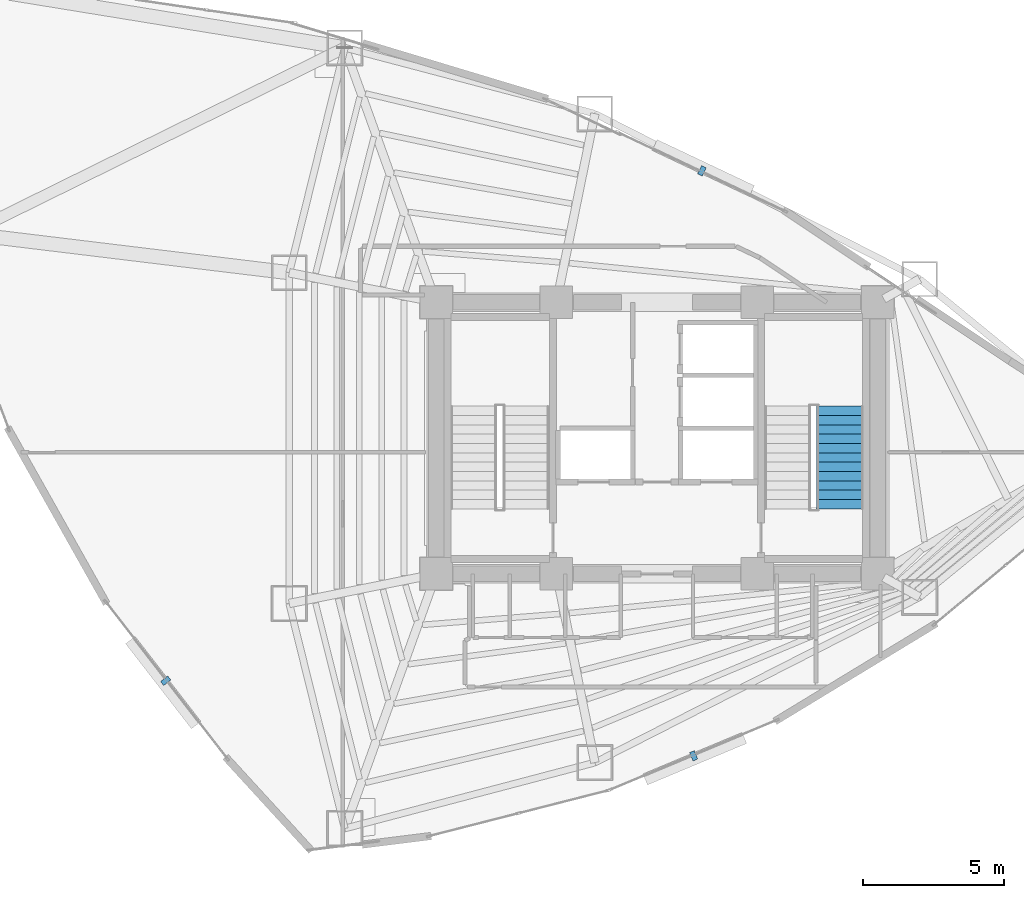
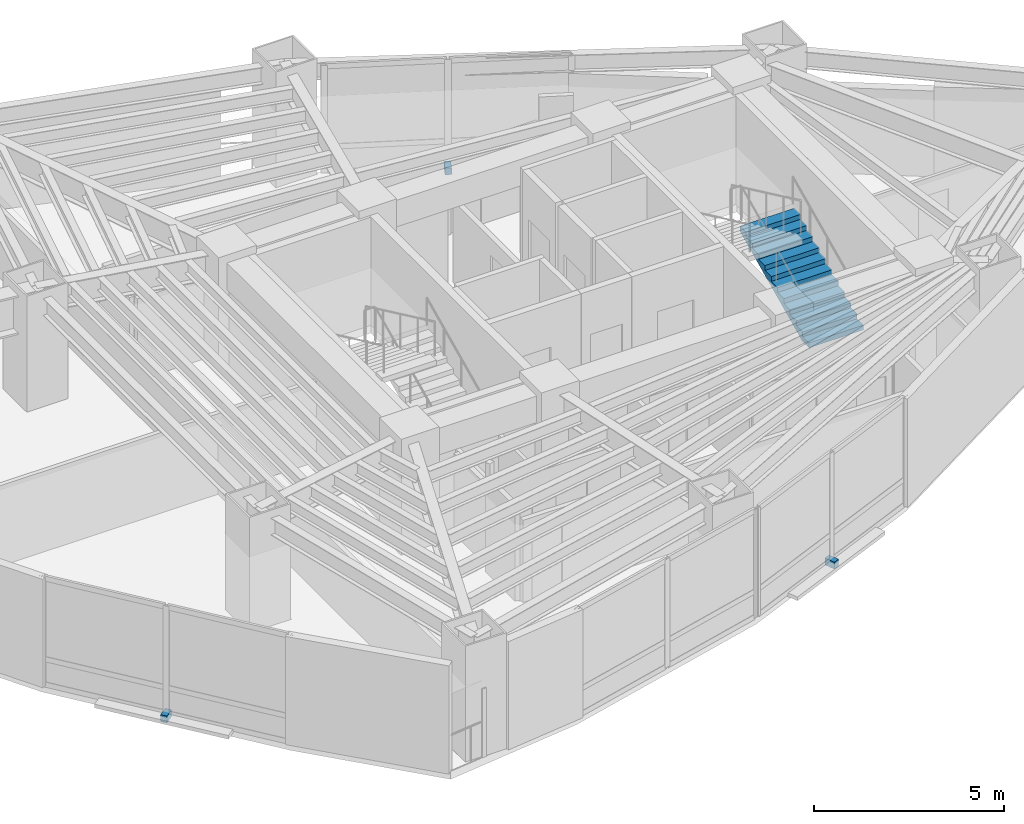
# One storey, part 21 of 23: 3 discrete accessories, 1 stair flight, 1 element without a shape of its own.
"""IFC4 building model written with IfcOpenShell, lengths in metres."""

from ifc_helpers import new_model, si_unit, direction, frame, origin, origin_2d, place, context, subcontext, project, spatial, polyline, rectangle, outline, extrude, material, type_object, element, aggregate, save


model = new_model("IFC4")

# Units and contexts
model_context = context("Model", 3, precision=1e-05, world=origin(), true_north=direction((0.0, 1.0)))
body_context = subcontext(model_context, "Body", "Model", "MODEL_VIEW")
ifc_project = project(units=[si_unit("LENGTHUNIT", "METRE"), si_unit("AREAUNIT", "SQUARE_METRE"), si_unit("VOLUMEUNIT", "CUBIC_METRE"), si_unit("PLANEANGLEUNIT", "RADIAN"), si_unit("MASSUNIT", "GRAM", prefix="KILO")], contexts=[model_context])

# Site, building, storey
site_placement = place(None, origin())
site = spatial("IfcSite", under=ifc_project, at=site_placement, CompositionType="ELEMENT")
building_placement = place(site_placement, origin())
building = spatial("IfcBuilding", under=site, at=building_placement, Name="Menara Vayukalpa", CompositionType="ELEMENT")
storey_placement = place(building_placement, frame((0.0, 0.0, 107.699951171875)))
storey = spatial("IfcBuildingStorey", under=building, at=storey_placement, Name="L26", CompositionType="ELEMENT", Elevation=107.699951171875)

# Stair, stair flight
ifc_material_1 = material(Name="Precast Concrete C40/50", Category="concrete")
stair_type = type_object("IfcStairType", Name="STR-T04", PredefinedType="DOUBLE_RETURN_STAIR", material=ifc_material_1)
stair_placement = place(storey_placement, origin())
stair = element("IfcStair", 1, at=stair_placement, inside=storey, type_object=stair_type, Name="L26 Core Exit Stair ST-2", PredefinedType="DOUBLE_RETURN_STAIR")
ifc_material_2 = material(Name="Precast Concrete C40/50", Category="concrete")
stair_flight_type = type_object("IfcStairFlightType", Name="STF-T04", PredefinedType="STRAIGHT", material=ifc_material_2)
stair_flight_placement = place(storey_placement, frame((32.074951171875, 19.5, 0.0), z_axis=(0.0, 0.0, 1.0), x_axis=(0.0, 1.0, 0.0)))
stair_flight = element("IfcStairFlight", 2, at=stair_flight_placement, type_object=stair_flight_type, Name="ST-2 flight 1", NumberOfRisers=12, NumberOfTreads=11, PredefinedType="STRAIGHT", RiserHeight=0.155, TreadLength=0.33, context=body_context, shape_type="SweptSolid", body=[
    extrude(outline(polyline([(0.0, 0.0), (0.0, 0.155029296875), (0.330078125, 0.155029296875), (0.330078125, 0.31005859375), (0.659912109375, 0.31005859375), (0.659912109375, 0.465087890625), (0.989990234375, 0.465087890625), (0.989990234375, 0.6201171875), (1.320068359375, 0.6201171875), (1.320068359375, 0.77490234375), (1.64990234375, 0.77490234375), (1.64990234375, 0.929931640625), (1.97998046875, 0.929931640625), (1.97998046875, 1.0849609375), (2.31005859375, 1.0849609375), (2.31005859375, 1.239990234375), (2.639892578125, 1.239990234375), (2.639892578125, 1.39501953125), (2.969970703125, 1.39501953125), (2.969970703125, 1.550048828125), (3.300048828125, 1.550048828125), (3.300048828125, 1.705078125), (3.6298828125, 1.705078125), (3.6298828125, 1.860107421875), (3.6298828125, 1.539306640625), (0.3525390625, 0.0), (0.0, 0.0)])), frame((0.0, 0.824951171875, 0.0), z_axis=(0.0, -1.0, 0.0), x_axis=(1.0, 0.0, 0.0)), (0.0, 0.0, 1.0), 1.64990234375),
])
aggregate(stair, [stair_flight])

# Discrete accessories
ifc_material_3 = material(Name="Stainless Steel 316 Sunshade Bracket", Category="steel")
discrete_accessory_type = type_object("IfcDiscreteAccessoryType", Name="ACC-BRK1", PredefinedType="BRACKET", material=ifc_material_3)
for number, where, z_axis, x_axis, name in (
    (3, (27.19189453125, 31.446533203125, -0.16015625), (0.0, 0.0, 1.0), (-0.90383625926, 0.427878506643, 0.0), "L26 Terracotta Sunshade Bracket 05"),
    (4, (8.240234375, 13.425537109375, -0.16015625), (0.0, 0.0, 1.0), (0.612189679389, -0.790710943677, 0.0), "L26 Terracotta Sunshade Bracket 13"),
    (5, (26.898193359375, 10.77099609375, -0.16015625), (0.0, 0.0, 1.0), (0.922544824647, 0.385889940938, 0.0), "L26 Terracotta Sunshade Bracket 17"),
):
    element("IfcDiscreteAccessory", number, at=place(storey_placement, frame(where, z_axis=z_axis, x_axis=x_axis)), inside=storey, type_object=discrete_accessory_type, Name=name, PredefinedType="BRACKET", context=body_context, shape_type="SweptSolid", body=[
        extrude(rectangle(XDim=0.179931640625, YDim=0.320068359375, at=origin_2d()), origin(), (0.0, 0.0, 1.0), 0.219970703125),
    ])

save(model, "model.ifc")
